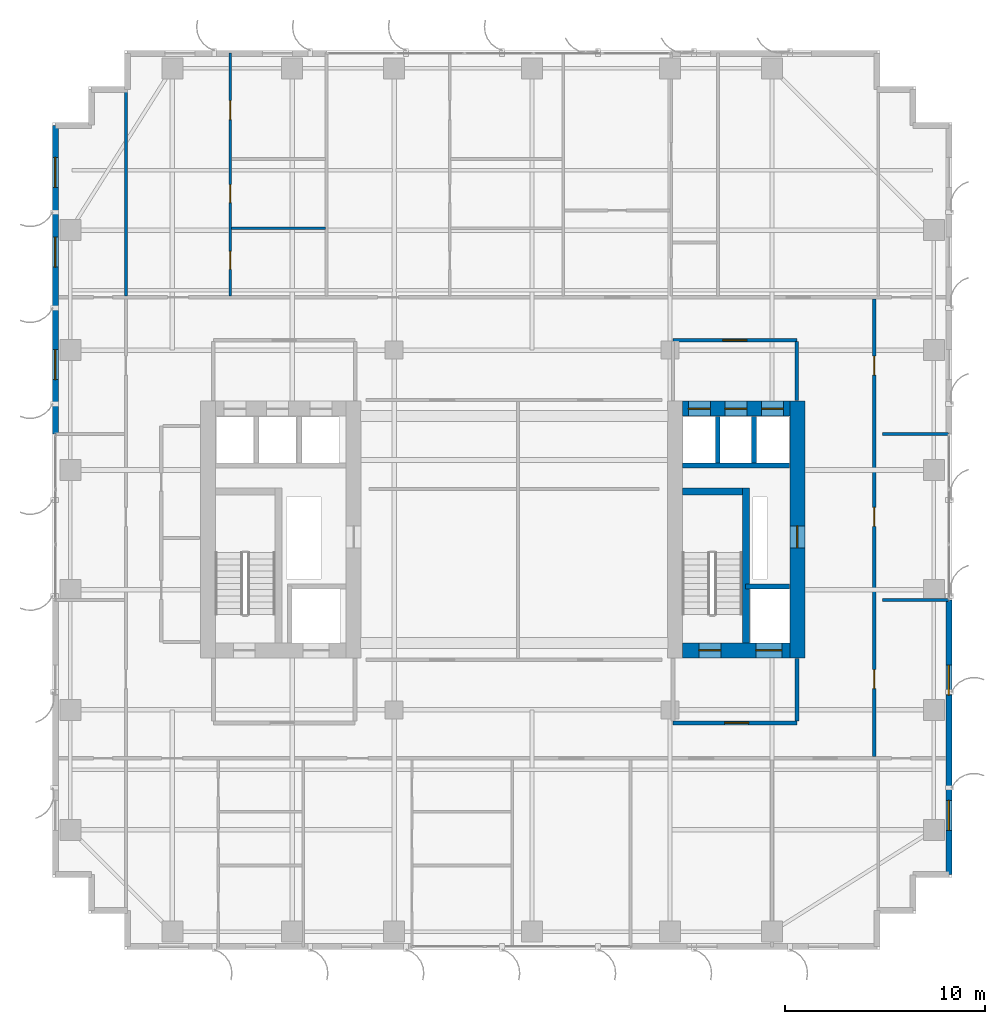
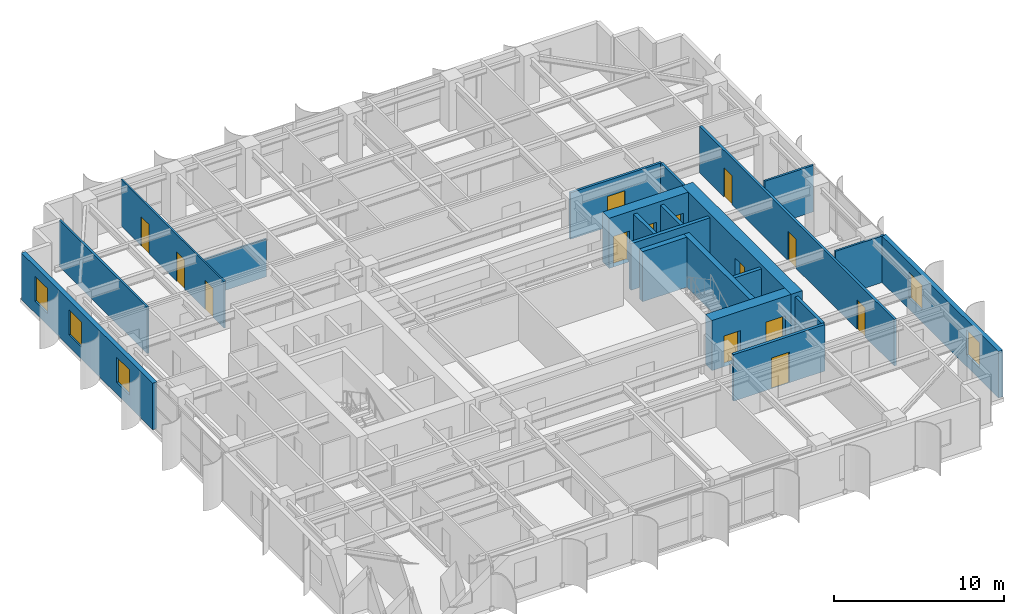
# One storey, part 16 of 21: 21 walls, 14 doors, 5 windows, 19 openings.
"""IFC4 building model written with IfcOpenShell, lengths in metres."""

from ifc_helpers import new_model, si_unit, direction, frame, frame_2d, origin, place, context, subcontext, project, spatial, rectangle, extrude, source, transform, mapped, material, layer, layer_set, type_object, element, fill, save


model = new_model("IFC4")

# Units and contexts
model_context = context("Model", 3, precision=1e-05, world=origin(), true_north=direction((0.0, 1.0)))
body_context = subcontext(model_context, "Body", "Model", "MODEL_VIEW")
ifc_project = project(units=[si_unit("LENGTHUNIT", "METRE"), si_unit("AREAUNIT", "SQUARE_METRE"), si_unit("VOLUMEUNIT", "CUBIC_METRE"), si_unit("PLANEANGLEUNIT", "RADIAN"), si_unit("MASSUNIT", "GRAM", prefix="KILO")], contexts=[model_context])

# Site, building, storey
site_placement = place(None, origin())
site = spatial("IfcSite", under=ifc_project, at=site_placement, CompositionType="ELEMENT")
building_placement = place(site_placement, origin())
building = spatial("IfcBuilding", under=site, at=building_placement, Name="Khoralis Quay Care Tower", CompositionType="ELEMENT")
storey_placement = place(building_placement, frame((0.0, 0.0, 112.5)))
storey = spatial("IfcBuildingStorey", under=building, at=storey_placement, Name="L29", CompositionType="ELEMENT", Elevation=112.5)

# Wall, opening, door
ifc_material_1 = material(Name="Gypsum plasterboard on acoustic metal stud")
ifc_layer_1 = layer(ifc_material_1, 0.199951171875)
ifc_layer_set_1 = layer_set([ifc_layer_1], Name="Gypsum plasterboard on acoustic metal stud")
wall_type_1 = type_object("IfcWallType", Name="WL-COMP-200", PredefinedType="PARTITIONING", material=ifc_layer_set_1)
wall_1_placement = place(storey_placement, frame((31.050048828125, 11.35009765625, 0.0), z_axis=(0.0, 0.0, 1.0), x_axis=(1.0, 0.0, 0.0)))
wall_1 = element("IfcWall", 1, at=wall_1_placement, inside=storey, type_object=wall_type_1, Name="L29 East Firefighting Lobby South Wall", PredefinedType="PARTITIONING", context=body_context, shape_type="SweptSolid", body=[
    extrude(rectangle(XDim=6.199951171875, YDim=0.199951171875, at=frame_2d((3.10009765625, 0.0))), origin(), (0.0, 0.0, 1.0), 3.340087890625),
])
opening_1_placement = place(wall_1_placement, frame((2.585693359375, 0.0, 0.0)))
opening_1 = element("IfcOpeningElement", 2, at=opening_1_placement, cuts=wall_1, Name="Opening FD1", PredefinedType="OPENING", context=body_context, shape_type="SweptSolid", body=[
    extrude(rectangle(XDim=1.199951171875, YDim=2.199951171875, at=frame_2d((0.60009765625, 1.10009765625))), frame((0.0, 0.10986328125, 0.0), z_axis=(0.0, -1.0, 0.0), x_axis=(1.0, 0.0, 0.0)), (0.0, 0.0, 1.0), 0.219970703125),
])
ifc_material_2 = material(Name="Fire-rated painted steel", Category="steel")
door_type_1 = type_object("IfcDoorType", Name="DR-FFL-1200X2200", OperationType="NOTDEFINED", PredefinedType="DOOR", material=ifc_material_2)
shared_shape_1 = source(origin(), body_context, "Body", "SweptSolid", [
    extrude(rectangle(XDim=1.199951171875, YDim=2.199951171875, at=frame_2d((0.60009765625, 1.10009765625))), frame((0.0, 0.02490234375, 0.0), z_axis=(0.0, -1.0, 0.0), x_axis=(1.0, 0.0, 0.0)), (0.0, 0.0, 1.0), 0.050048828125),
])
door_1_placement = place(opening_1_placement, origin())
door_1 = element("IfcDoor", 3, at=door_1_placement, inside=storey, type_object=door_type_1, Name="L29 East Firefighting Lobby Fire Door", OperationType="SINGLE_SWING_RIGHT", OverallHeight=2.199951171875, OverallWidth=1.199951171875, PredefinedType="DOOR", context=body_context, shape_type="MappedRepresentation", body=[
    mapped(shared_shape_1, transform((0.0, 0.0, 0.0), scale=1.0)),
])
fill(opening_1, door_1)

# Wall
wall_2_placement = place(storey_placement, frame((37.25, 11.445068359375, 0.0), z_axis=(0.0, 0.0, 1.0), x_axis=(0.0, 1.0, 0.0)))
element("IfcWall", 4, at=wall_2_placement, inside=storey, type_object=wall_type_1, Name="L29 East Firefighting Lobby East Wall", PredefinedType="PARTITIONING", context=body_context, shape_type="SweptSolid", body=[
    extrude(rectangle(XDim=3.135009765625, YDim=0.199951171875, at=frame_2d((1.5673828125, 0.0))), origin(), (0.0, 0.0, 1.0), 3.340087890625),
])

# Wall, opening, door
ifc_material_3 = material(Name="Concrete C80/95", Category="concrete")
ifc_layer_2 = layer(ifc_material_3, 0.75)
ifc_layer_set_2 = layer_set([ifc_layer_2], Name="Concrete C80/95")
wall_type_2 = type_object("IfcWallType", Name="WL-CORE-750", PredefinedType="SHEAR", material=ifc_layer_set_2)
wall_3_placement = place(storey_placement, frame((37.27490234375, 14.60009765625, 0.0), z_axis=(0.0, 0.0, 1.0), x_axis=(0.0, 1.0, 0.0)))
wall_3 = element("IfcWall", 5, at=wall_3_placement, inside=storey, type_object=wall_type_2, Name="L29 ECORE East Shear Wall", PredefinedType="SHEAR", context=body_context, shape_type="SweptSolid", body=[
    extrude(rectangle(XDim=12.849853515625, YDim=0.75, at=frame_2d((6.4248046875, 0.0))), origin(), (0.0, 0.0, 1.0), 3.60009765625),
])
opening_2_placement = place(wall_3_placement, frame((5.5, 0.0, 0.0)))
opening_2 = element("IfcOpeningElement", 6, at=opening_2_placement, cuts=wall_3, Name="Opening SD1", PredefinedType="OPENING", context=body_context, shape_type="SweptSolid", body=[
    extrude(rectangle(XDim=1.10009765625, YDim=2.199951171875, at=frame_2d((0.550048828125, 1.10009765625))), frame((0.0, 0.385009765625, 0.0), z_axis=(0.0, -1.0, 0.0), x_axis=(1.0, 0.0, 0.0)), (0.0, 0.0, 1.0), 0.77001953125),
])
door_type_2 = type_object("IfcDoorType", Name="DR-STAIR-1100X2200", OperationType="NOTDEFINED", PredefinedType="DOOR", material=ifc_material_2)
shared_shape_2 = source(origin(), body_context, "Body", "SweptSolid", [
    extrude(rectangle(XDim=1.10009765625, YDim=2.199951171875, at=frame_2d((0.550048828125, 1.10009765625))), frame((0.0, 0.02490234375, 0.0), z_axis=(0.0, -1.0, 0.0), x_axis=(1.0, 0.0, 0.0)), (0.0, 0.0, 1.0), 0.050048828125),
])
door_2_placement = place(opening_2_placement, frame((1.10009765625, 0.0, 0.0), z_axis=(0.0, 0.0, 1.0), x_axis=(-1.0, 0.0, 0.0)))
door_2 = element("IfcDoor", 7, at=door_2_placement, inside=storey, type_object=door_type_2, Name="L29 East MEP Riser Door", OperationType="SINGLE_SWING_RIGHT", OverallHeight=2.199951171875, OverallWidth=1.10009765625, PredefinedType="DOOR", context=body_context, shape_type="MappedRepresentation", body=[
    mapped(shared_shape_2, transform((0.0, 0.0, 0.0), scale=1.0)),
])
fill(opening_2, door_2)

# Wall, openings, doors
wall_4_placement = place(storey_placement, frame((31.52001953125, 14.97509765625, 0.0), z_axis=(0.0, 0.0, 1.0), x_axis=(1.0, 0.0, 0.0)))
wall_4 = element("IfcWall", 8, at=wall_4_placement, inside=storey, type_object=wall_type_2, Name="L29 ECORE South Shear Wall", PredefinedType="SHEAR", context=body_context, shape_type="SweptSolid", body=[
    extrude(rectangle(XDim=5.3798828125, YDim=0.75, at=frame_2d((2.68994140625, 0.0))), origin(), (0.0, 0.0, 1.0), 3.60009765625),
])
opening_3_placement = place(wall_4_placement, frame((0.830078125, 0.0, 0.0)))
opening_3 = element("IfcOpeningElement", 9, at=opening_3_placement, cuts=wall_4, Name="Opening SD1", PredefinedType="OPENING", context=body_context, shape_type="SweptSolid", body=[
    extrude(rectangle(XDim=1.10009765625, YDim=2.199951171875, at=frame_2d((0.550048828125, 1.10009765625))), frame((0.0, 0.385009765625, 0.0), z_axis=(0.0, -1.0, 0.0), x_axis=(1.0, 0.0, 0.0)), (0.0, 0.0, 1.0), 0.77001953125),
])
opening_4_placement = place(wall_4_placement, frame((3.679931640625, 0.0, 0.0)))
opening_4 = element("IfcOpeningElement", 10, at=opening_4_placement, cuts=wall_4, Name="Opening LD2", PredefinedType="OPENING", context=body_context, shape_type="SweptSolid", body=[
    extrude(rectangle(XDim=1.300048828125, YDim=2.199951171875, at=frame_2d((0.64990234375, 1.10009765625))), frame((0.0, 0.385009765625, 0.0), z_axis=(0.0, -1.0, 0.0), x_axis=(1.0, 0.0, 0.0)), (0.0, 0.0, 1.0), 0.77001953125),
])
door_3_placement = place(opening_3_placement, origin())
door_3 = element("IfcDoor", 11, at=door_3_placement, inside=storey, type_object=door_type_2, Name="L29 Stair ST-T2 Fire Door", OperationType="SINGLE_SWING_RIGHT", OverallHeight=2.199951171875, OverallWidth=1.10009765625, PredefinedType="DOOR", context=body_context, shape_type="MappedRepresentation", body=[
    mapped(shared_shape_2, transform((0.0, 0.0, 0.0), scale=1.0)),
])
fill(opening_3, door_3)
ifc_material_4 = material(Name="Brushed stainless steel", Category="steel")
door_type_3 = type_object("IfcDoorType", Name="DR-LIFT-1300X2200", OperationType="SLIDING_TO_RIGHT", PredefinedType="DOOR", material=ifc_material_4)
shared_shape_3 = source(origin(), body_context, "Body", "SweptSolid", [
    extrude(rectangle(XDim=1.300048828125, YDim=2.199951171875, at=frame_2d((0.64990234375, 1.10009765625))), frame((0.0, 0.02490234375, 0.0), z_axis=(0.0, -1.0, 0.0), x_axis=(1.0, 0.0, 0.0)), (0.0, 0.0, 1.0), 0.050048828125),
])
door_4_placement = place(opening_4_placement, origin())
door_4 = element("IfcDoor", 12, at=door_4_placement, inside=storey, type_object=door_type_3, Name="L29 Firefighting Lift FFL-2 Landing Door", OperationType="SLIDING_TO_RIGHT", OverallHeight=2.199951171875, OverallWidth=1.300048828125, PredefinedType="DOOR", context=body_context, shape_type="MappedRepresentation", body=[
    mapped(shared_shape_3, transform((0.0, 0.0, 0.0), scale=1.0)),
])
fill(opening_4, door_4)

wall_5_placement = place(storey_placement, frame((31.52001953125, 27.074951171875, 0.0), z_axis=(0.0, 0.0, 1.0), x_axis=(1.0, 0.0, 0.0)))
wall_5 = element("IfcWall", 13, at=wall_5_placement, inside=storey, type_object=wall_type_2, Name="L29 ECORE North Shear Wall", PredefinedType="SHEAR", context=body_context, shape_type="SweptSolid", body=[
    extrude(rectangle(XDim=5.3798828125, YDim=0.75, at=frame_2d((2.68994140625, 0.0))), origin(), (0.0, 0.0, 1.0), 3.60009765625),
])
opening_5_placement = place(wall_5_placement, frame((0.300048828125, 0.0, 0.0)))
opening_5 = element("IfcOpeningElement", 14, at=opening_5_placement, cuts=wall_5, Name="Opening LD1", PredefinedType="OPENING", context=body_context, shape_type="SweptSolid", body=[
    extrude(rectangle(XDim=1.10009765625, YDim=2.199951171875, at=frame_2d((0.550048828125, 1.10009765625))), frame((0.0, 0.385009765625, 0.0), z_axis=(0.0, -1.0, 0.0), x_axis=(1.0, 0.0, 0.0)), (0.0, 0.0, 1.0), 0.77001953125),
])
opening_6_placement = place(wall_5_placement, frame((2.1298828125, 0.0, 0.0)))
opening_6 = element("IfcOpeningElement", 15, at=opening_6_placement, cuts=wall_5, Name="Opening LD1", PredefinedType="OPENING", context=body_context, shape_type="SweptSolid", body=[
    extrude(rectangle(XDim=1.10009765625, YDim=2.199951171875, at=frame_2d((0.550048828125, 1.10009765625))), frame((0.0, 0.385009765625, 0.0), z_axis=(0.0, -1.0, 0.0), x_axis=(1.0, 0.0, 0.0)), (0.0, 0.0, 1.0), 0.77001953125),
])
opening_7_placement = place(wall_5_placement, frame((3.9599609375, 0.0, 0.0)))
opening_7 = element("IfcOpeningElement", 16, at=opening_7_placement, cuts=wall_5, Name="Opening LD1", PredefinedType="OPENING", context=body_context, shape_type="SweptSolid", body=[
    extrude(rectangle(XDim=1.10009765625, YDim=2.199951171875, at=frame_2d((0.550048828125, 1.10009765625))), frame((0.0, 0.385009765625, 0.0), z_axis=(0.0, -1.0, 0.0), x_axis=(1.0, 0.0, 0.0)), (0.0, 0.0, 1.0), 0.77001953125),
])
door_type_4 = type_object("IfcDoorType", Name="DR-LIFT-1100X2200", OperationType="SLIDING_TO_LEFT", PredefinedType="DOOR", material=ifc_material_4)
shared_shape_4 = source(origin(), body_context, "Body", "SweptSolid", [
    extrude(rectangle(XDim=1.10009765625, YDim=2.199951171875, at=frame_2d((0.550048828125, 1.10009765625))), frame((0.0, 0.02490234375, 0.0), z_axis=(0.0, -1.0, 0.0), x_axis=(1.0, 0.0, 0.0)), (0.0, 0.0, 1.0), 0.050048828125),
])
door_5_placement = place(opening_5_placement, origin())
door_5 = element("IfcDoor", 17, at=door_5_placement, inside=storey, type_object=door_type_4, Name="L29 Lift PLL2 Landing Door", OperationType="SLIDING_TO_LEFT", OverallHeight=2.199951171875, OverallWidth=1.10009765625, PredefinedType="DOOR", context=body_context, shape_type="MappedRepresentation", body=[
    mapped(shared_shape_4, transform((0.0, 0.0, 0.0), scale=1.0)),
])
fill(opening_5, door_5)
door_6_placement = place(opening_6_placement, origin())
door_6 = element("IfcDoor", 18, at=door_6_placement, inside=storey, type_object=door_type_4, Name="L29 Lift PLM2 Landing Door", OperationType="SLIDING_TO_LEFT", OverallHeight=2.199951171875, OverallWidth=1.10009765625, PredefinedType="DOOR", context=body_context, shape_type="MappedRepresentation", body=[
    mapped(shared_shape_4, transform((0.0, 0.0, 0.0), scale=1.0)),
])
fill(opening_6, door_6)
door_7_placement = place(opening_7_placement, origin())
door_7 = element("IfcDoor", 19, at=door_7_placement, inside=storey, type_object=door_type_4, Name="L29 Lift PLH2 Landing Door", OperationType="SLIDING_TO_LEFT", OverallHeight=2.199951171875, OverallWidth=1.10009765625, PredefinedType="DOOR", context=body_context, shape_type="MappedRepresentation", body=[
    mapped(shared_shape_4, transform((0.0, 0.0, 0.0), scale=1.0)),
])
fill(opening_7, door_7)

# Wall, opening, door
ifc_layer_3 = layer(ifc_material_1, 0.1650390625)
ifc_layer_set_3 = layer_set([ifc_layer_3], Name="Gypsum plasterboard on acoustic metal stud")
wall_type_3 = type_object("IfcWallType", Name="WL-CORR-165", PredefinedType="PARTITIONING", material=ifc_layer_set_3)
wall_6_placement = place(storey_placement, frame((31.050048828125, 30.5, 0.0), z_axis=(0.0, 0.0, 1.0), x_axis=(1.0, 0.0, 0.0)))
wall_6 = element("IfcWall", 20, at=wall_6_placement, inside=storey, type_object=wall_type_3, Name="L29 East Lift Lobby North Wall", PredefinedType="PARTITIONING", context=body_context, shape_type="SweptSolid", body=[
    extrude(rectangle(XDim=6.199951171875, YDim=0.1650390625, at=frame_2d((3.10009765625, 0.0))), origin(), (0.0, 0.0, 1.0), 3.340087890625),
])
opening_8_placement = place(wall_6_placement, frame((2.5, 0.0, 0.0)))
opening_8 = element("IfcOpeningElement", 21, at=opening_8_placement, cuts=wall_6, Name="Opening FD1", PredefinedType="OPENING", context=body_context, shape_type="SweptSolid", body=[
    extrude(rectangle(XDim=1.199951171875, YDim=2.199951171875, at=frame_2d((0.60009765625, 1.10009765625))), frame((0.0, 0.092529296875, 0.0), z_axis=(0.0, -1.0, 0.0), x_axis=(1.0, 0.0, 0.0)), (0.0, 0.0, 1.0), 0.18505859375),
])
door_8_placement = place(opening_8_placement, origin())
door_8 = element("IfcDoor", 22, at=door_8_placement, inside=storey, type_object=door_type_1, Name="L29 East Lift Lobby Double Door", OperationType="DOUBLE_DOOR_SINGLE_SWING", OverallHeight=2.199951171875, OverallWidth=1.199951171875, PredefinedType="DOOR", context=body_context, shape_type="MappedRepresentation", body=[
    mapped(shared_shape_1, transform((0.0, 0.0, 0.0), scale=1.0)),
])
fill(opening_8, door_8)

# Wall
wall_7_placement = place(storey_placement, frame((37.25, 27.469970703125, 0.0), z_axis=(0.0, 0.0, 1.0), x_axis=(0.0, 1.0, 0.0)))
element("IfcWall", 23, at=wall_7_placement, inside=storey, type_object=wall_type_3, Name="L29 East Lift Lobby East Wall", PredefinedType="PARTITIONING", context=body_context, shape_type="SweptSolid", body=[
    extrude(rectangle(XDim=2.95263671875, YDim=0.1650390625, at=frame_2d((1.476318359375, 0.0))), origin(), (0.0, 0.0, 1.0), 3.340087890625),
])

# Wall, openings, doors
wall_8_placement = place(storey_placement, frame((41.1201171875, 9.657470703125, 0.0), z_axis=(0.0, 0.0, 1.0), x_axis=(0.0, 1.0, 0.0)))
wall_8 = element("IfcWall", 24, at=wall_8_placement, inside=storey, type_object=wall_type_3, Name="L29 East Loop Corridor Wall", PredefinedType="PARTITIONING", context=body_context, shape_type="SweptSolid", body=[
    extrude(rectangle(XDim=22.905029296875, YDim=0.1650390625, at=frame_2d((11.45263671875, 0.0))), origin(), (0.0, 0.0, 1.0), 3.340087890625),
])
opening_9_placement = place(wall_8_placement, frame((3.407470703125, 0.0, 0.0)))
opening_9 = element("IfcOpeningElement", 25, at=opening_9_placement, cuts=wall_8, Name="Opening ID1", PredefinedType="OPENING", context=body_context, shape_type="SweptSolid", body=[
    extrude(rectangle(XDim=0.949951171875, YDim=2.10009765625, at=frame_2d((0.47509765625, 1.050048828125))), frame((0.0, 0.092529296875, 0.0), z_axis=(0.0, -1.0, 0.0), x_axis=(1.0, 0.0, 0.0)), (0.0, 0.0, 1.0), 0.18505859375),
])
opening_10_placement = place(wall_8_placement, frame((11.517578125, 0.0, 0.0)))
opening_10 = element("IfcOpeningElement", 26, at=opening_10_placement, cuts=wall_8, Name="Opening ID1", PredefinedType="OPENING", context=body_context, shape_type="SweptSolid", body=[
    extrude(rectangle(XDim=0.949951171875, YDim=2.10009765625, at=frame_2d((0.47509765625, 1.050048828125))), frame((0.0, 0.092529296875, 0.0), z_axis=(0.0, -1.0, 0.0), x_axis=(1.0, 0.0, 0.0)), (0.0, 0.0, 1.0), 0.18505859375),
])
opening_11_placement = place(wall_8_placement, frame((19.08740234375, 0.0, 0.0)))
opening_11 = element("IfcOpeningElement", 27, at=opening_11_placement, cuts=wall_8, Name="Opening ID1", PredefinedType="OPENING", context=body_context, shape_type="SweptSolid", body=[
    extrude(rectangle(XDim=0.949951171875, YDim=2.10009765625, at=frame_2d((0.47509765625, 1.050048828125))), frame((0.0, 0.092529296875, 0.0), z_axis=(0.0, -1.0, 0.0), x_axis=(1.0, 0.0, 0.0)), (0.0, 0.0, 1.0), 0.18505859375),
])
ifc_material_5 = material(Name="Acoustic hardwood timber", Category="wood")
door_type_5 = type_object("IfcDoorType", Name="DR-ROOM-950X2100", OperationType="NOTDEFINED", PredefinedType="DOOR", material=ifc_material_5)
shared_shape_5 = source(origin(), body_context, "Body", "SweptSolid", [
    extrude(rectangle(XDim=0.949951171875, YDim=2.10009765625, at=frame_2d((0.47509765625, 1.050048828125))), frame((0.0, 0.02490234375, 0.0), z_axis=(0.0, -1.0, 0.0), x_axis=(1.0, 0.0, 0.0)), (0.0, 0.0, 1.0), 0.050048828125),
])
door_9_placement = place(opening_9_placement, frame((0.949951171875, 0.0, 0.0), z_axis=(0.0, 0.0, 1.0), x_axis=(-1.0, 0.0, 0.0)))
door_9 = element("IfcDoor", 28, at=door_9_placement, inside=storey, type_object=door_type_5, Name="L29 Therapy Consultation Room Door", OperationType="SINGLE_SWING_LEFT", OverallHeight=2.10009765625, OverallWidth=0.949951171875, PredefinedType="DOOR", context=body_context, shape_type="MappedRepresentation", body=[
    mapped(shared_shape_5, transform((0.0, 0.0, 0.0), scale=1.0)),
])
fill(opening_9, door_9)
door_10_placement = place(opening_10_placement, frame((0.949951171875, 0.0, 0.0), z_axis=(0.0, 0.0, 1.0), x_axis=(-1.0, 0.0, 0.0)))
door_10 = element("IfcDoor", 29, at=door_10_placement, inside=storey, type_object=door_type_5, Name="L29 Assisted Activity Lounge Door", OperationType="SINGLE_SWING_RIGHT", OverallHeight=2.10009765625, OverallWidth=0.949951171875, PredefinedType="DOOR", context=body_context, shape_type="MappedRepresentation", body=[
    mapped(shared_shape_5, transform((0.0, 0.0, 0.0), scale=1.0)),
])
fill(opening_10, door_10)
door_11_placement = place(opening_11_placement, frame((0.949951171875, 0.0, 0.0), z_axis=(0.0, 0.0, 1.0), x_axis=(-1.0, 0.0, 0.0)))
door_11 = element("IfcDoor", 30, at=door_11_placement, inside=storey, type_object=door_type_5, Name="L29 Nurse Charting Office Door", OperationType="SINGLE_SWING_LEFT", OverallHeight=2.10009765625, OverallWidth=0.949951171875, PredefinedType="DOOR", context=body_context, shape_type="MappedRepresentation", body=[
    mapped(shared_shape_5, transform((0.0, 0.0, 0.0), scale=1.0)),
])
fill(opening_11, door_11)

# Wall, openings, windows
ifc_material_6 = material(Name="Precast concrete C45/55", Category="concrete")
ifc_layer_4 = layer(ifc_material_6, 0.300048828125)
ifc_layer_set_4 = layer_set([ifc_layer_4], Name="Precast concrete C45/55")
wall_type_4 = type_object("IfcWallType", Name="WL-EXT-REF-300", PredefinedType="SOLIDWALL", material=ifc_layer_set_4)
wall_9_placement = place(storey_placement, frame((44.85009765625, 3.75, 0.0), z_axis=(0.0, 0.0, 1.0), x_axis=(0.0, 1.0, 0.0)))
wall_9 = element("IfcWall", 31, at=wall_9_placement, inside=storey, type_object=wall_type_4, Name="L29 External Facade Wall WL-EXT-L29-P1-E5A", PredefinedType="SOLIDWALL", context=body_context, shape_type="SweptSolid", body=[
    extrude(rectangle(XDim=13.75, YDim=0.300048828125, at=frame_2d((6.875, 0.0))), origin(), (0.0, 0.0, 1.0), 3.340087890625),
])
opening_12_placement = place(wall_9_placement, frame((2.215087890625, 0.0, 0.85009765625)))
opening_12 = element("IfcOpeningElement", 32, at=opening_12_placement, cuts=wall_9, Name="Opening W3", PredefinedType="OPENING", context=body_context, shape_type="SweptSolid", body=[
    extrude(rectangle(XDim=1.5, YDim=1.800048828125, at=frame_2d((0.75, 0.89990234375))), frame((0.0, 0.16015625, 0.0), z_axis=(0.0, -1.0, 0.0), x_axis=(1.0, 0.0, 0.0)), (0.0, 0.0, 1.0), 0.320068359375),
])
opening_13_placement = place(wall_9_placement, frame((8.989990234375, 0.0, 0.85009765625)))
opening_13 = element("IfcOpeningElement", 33, at=opening_13_placement, cuts=wall_9, Name="Opening W3", PredefinedType="OPENING", context=body_context, shape_type="SweptSolid", body=[
    extrude(rectangle(XDim=1.5, YDim=1.800048828125, at=frame_2d((0.75, 0.89990234375))), frame((0.0, 0.16015625, 0.0), z_axis=(0.0, -1.0, 0.0), x_axis=(1.0, 0.0, 0.0)), (0.0, 0.0, 1.0), 0.320068359375),
])
ifc_material_7 = material(Name="Low-E solar-control double glazing", Category="glass")
window_type = type_object("IfcWindowType", Name="WN-CLIN-1500X1800", PartitioningType="SINGLE_PANEL", PredefinedType="WINDOW", material=ifc_material_7)
shared_shape_6 = source(origin(), body_context, "Body", "SweptSolid", [
    extrude(rectangle(XDim=1.5, YDim=1.800048828125, at=frame_2d((0.75, 0.89990234375))), frame((0.0, 0.030029296875, 0.0), z_axis=(0.0, -1.0, 0.0), x_axis=(1.0, 0.0, 0.0)), (0.0, 0.0, 1.0), 0.06005859375),
])
window_1_placement = place(opening_12_placement, origin())
window_1 = element("IfcWindow", 34, at=window_1_placement, inside=storey, type_object=window_type, Name="WN-L29-P1-E5A Facade Window 01", OverallHeight=1.800048828125, OverallWidth=1.5, PartitioningType="SINGLE_PANEL", PredefinedType="WINDOW", context=body_context, shape_type="MappedRepresentation", body=[
    mapped(shared_shape_6, transform((0.0, 0.0, 0.0), scale=1.0)),
])
fill(opening_12, window_1)
window_2_placement = place(opening_13_placement, origin())
window_2 = element("IfcWindow", 35, at=window_2_placement, inside=storey, type_object=window_type, Name="WN-L29-P1-E5A Facade Window 02", OverallHeight=1.800048828125, OverallWidth=1.5, PartitioningType="SINGLE_PANEL", PredefinedType="WINDOW", context=body_context, shape_type="MappedRepresentation", body=[
    mapped(shared_shape_6, transform((0.0, 0.0, 0.0), scale=1.0)),
])
fill(opening_13, window_2)

wall_10_placement = place(storey_placement, frame((0.14990234375, 41.25, 0.0), z_axis=(0.0, 0.0, 1.0), x_axis=(0.0, -1.0, 0.0)))
wall_10 = element("IfcWall", 36, at=wall_10_placement, inside=storey, type_object=wall_type_4, Name="L29 External Facade Wall WL-EXT-L29-P1-E15A", PredefinedType="SOLIDWALL", context=body_context, shape_type="SweptSolid", body=[
    extrude(rectangle(XDim=15.449951171875, YDim=0.300048828125, at=frame_2d((7.72509765625, 0.0))), origin(), (0.0, 0.0, 1.0), 3.340087890625),
])
opening_14_placement = place(wall_10_placement, frame((1.607421875, 0.0, 0.85009765625)))
opening_14 = element("IfcOpeningElement", 37, at=opening_14_placement, cuts=wall_10, Name="Opening W3", PredefinedType="OPENING", context=body_context, shape_type="SweptSolid", body=[
    extrude(rectangle(XDim=1.5, YDim=1.800048828125, at=frame_2d((0.75, 0.89990234375))), frame((0.0, 0.16015625, 0.0), z_axis=(0.0, -1.0, 0.0), x_axis=(1.0, 0.0, 0.0)), (0.0, 0.0, 1.0), 0.320068359375),
])
opening_15_placement = place(wall_10_placement, frame((5.6025390625, 0.0, 0.85009765625)))
opening_15 = element("IfcOpeningElement", 38, at=opening_15_placement, cuts=wall_10, Name="Opening W3", PredefinedType="OPENING", context=body_context, shape_type="SweptSolid", body=[
    extrude(rectangle(XDim=1.5, YDim=1.800048828125, at=frame_2d((0.75, 0.89990234375))), frame((0.0, 0.16015625, 0.0), z_axis=(0.0, -1.0, 0.0), x_axis=(1.0, 0.0, 0.0)), (0.0, 0.0, 1.0), 0.320068359375),
])
opening_16_placement = place(wall_10_placement, frame((11.22998046875, 0.0, 0.85009765625)))
opening_16 = element("IfcOpeningElement", 39, at=opening_16_placement, cuts=wall_10, Name="Opening W3", PredefinedType="OPENING", context=body_context, shape_type="SweptSolid", body=[
    extrude(rectangle(XDim=1.5, YDim=1.800048828125, at=frame_2d((0.75, 0.89990234375))), frame((0.0, 0.16015625, 0.0), z_axis=(0.0, -1.0, 0.0), x_axis=(1.0, 0.0, 0.0)), (0.0, 0.0, 1.0), 0.320068359375),
])
window_3_placement = place(opening_14_placement, origin())
window_3 = element("IfcWindow", 40, at=window_3_placement, inside=storey, type_object=window_type, Name="WN-L29-P1-E15A Facade Window 01", OverallHeight=1.800048828125, OverallWidth=1.5, PartitioningType="SINGLE_PANEL", PredefinedType="WINDOW", context=body_context, shape_type="MappedRepresentation", body=[
    mapped(shared_shape_6, transform((0.0, 0.0, 0.0), scale=1.0)),
])
fill(opening_14, window_3)
window_4_placement = place(opening_15_placement, origin())
window_4 = element("IfcWindow", 41, at=window_4_placement, inside=storey, type_object=window_type, Name="WN-L29-P1-E15A Facade Window 02", OverallHeight=1.800048828125, OverallWidth=1.5, PartitioningType="SINGLE_PANEL", PredefinedType="WINDOW", context=body_context, shape_type="MappedRepresentation", body=[
    mapped(shared_shape_6, transform((0.0, 0.0, 0.0), scale=1.0)),
])
fill(opening_15, window_4)
window_5_placement = place(opening_16_placement, origin())
window_5 = element("IfcWindow", 42, at=window_5_placement, inside=storey, type_object=window_type, Name="WN-L29-P1-E15A Facade Window 03", OverallHeight=1.800048828125, OverallWidth=1.5, PartitioningType="SINGLE_PANEL", PredefinedType="WINDOW", context=body_context, shape_type="MappedRepresentation", body=[
    mapped(shared_shape_6, transform((0.0, 0.0, 0.0), scale=1.0)),
])
fill(opening_16, window_5)

# Wall, openings, doors
ifc_layer_5 = layer(ifc_material_1, 0.114990234375)
ifc_layer_set_5 = layer_set([ifc_layer_5], Name="Gypsum plasterboard on acoustic metal stud")
wall_type_5 = type_object("IfcWallType", Name="WL-PART-115", PredefinedType="PARTITIONING", material=ifc_layer_set_5)
wall_11_placement = place(storey_placement, frame((8.90087890625, 32.717529296875, 0.0), z_axis=(0.0, 0.0, 1.0), x_axis=(0.0, 1.0, 0.0)))
wall_11 = element("IfcWall", 43, at=wall_11_placement, inside=storey, type_object=wall_type_5, Name="L29 Unit 0 Internal Wall", PredefinedType="PARTITIONING", context=body_context, shape_type="SweptSolid", body=[
    extrude(rectangle(XDim=12.137451171875, YDim=0.114990234375, at=frame_2d((6.06884765625, 0.0))), origin(), (0.0, 0.0, 1.0), 3.340087890625),
])
opening_17_placement = place(wall_11_placement, frame((8.8134765625, 0.0, 0.0)))
opening_17 = element("IfcOpeningElement", 44, at=opening_17_placement, cuts=wall_11, Name="Opening ID1", PredefinedType="OPENING", context=body_context, shape_type="SweptSolid", body=[
    extrude(rectangle(XDim=0.949951171875, YDim=2.10009765625, at=frame_2d((0.47509765625, 1.050048828125))), frame((0.0, 0.0673828125, 0.0), z_axis=(0.0, -1.0, 0.0), x_axis=(1.0, 0.0, 0.0)), (0.0, 0.0, 1.0), 0.135009765625),
])
opening_18_placement = place(wall_11_placement, frame((4.6640625, 0.0, 0.0)))
opening_18 = element("IfcOpeningElement", 45, at=opening_18_placement, cuts=wall_11, Name="Opening WD1", PredefinedType="OPENING", context=body_context, shape_type="SweptSolid", body=[
    extrude(rectangle(XDim=0.89990234375, YDim=2.10009765625, at=frame_2d((0.449951171875, 1.050048828125))), frame((0.0, 0.0673828125, 0.0), z_axis=(0.0, -1.0, 0.0), x_axis=(1.0, 0.0, 0.0)), (0.0, 0.0, 1.0), 0.135009765625),
])
opening_19_placement = place(wall_11_placement, frame((1.318115234375, 0.0, 0.0)))
opening_19 = element("IfcOpeningElement", 46, at=opening_19_placement, cuts=wall_11, Name="Opening WD1", PredefinedType="OPENING", context=body_context, shape_type="SweptSolid", body=[
    extrude(rectangle(XDim=0.89990234375, YDim=2.10009765625, at=frame_2d((0.449951171875, 1.050048828125))), frame((0.0, 0.0673828125, 0.0), z_axis=(0.0, -1.0, 0.0), x_axis=(1.0, 0.0, 0.0)), (0.0, 0.0, 1.0), 0.135009765625),
])
door_type_6 = type_object("IfcDoorType", Name="DR-BATH-900X2100", OperationType="NOTDEFINED", PredefinedType="DOOR", material=ifc_material_5)
shared_shape_7 = source(origin(), body_context, "Body", "SweptSolid", [
    extrude(rectangle(XDim=0.89990234375, YDim=2.10009765625, at=frame_2d((0.449951171875, 1.050048828125))), frame((0.0, 0.02490234375, 0.0), z_axis=(0.0, -1.0, 0.0), x_axis=(1.0, 0.0, 0.0)), (0.0, 0.0, 1.0), 0.050048828125),
])
door_12_placement = place(opening_18_placement, frame((0.89990234375, 0.0, 0.0), z_axis=(0.0, 0.0, 1.0), x_axis=(-1.0, 0.0, 0.0)))
door_12 = element("IfcDoor", 47, at=door_12_placement, inside=storey, type_object=door_type_6, Name="L29 Apartment NB0 KIT Door", OperationType="SINGLE_SWING_LEFT", OverallHeight=2.10009765625, OverallWidth=0.89990234375, PredefinedType="DOOR", context=body_context, shape_type="MappedRepresentation", body=[
    mapped(shared_shape_7, transform((0.0, 0.0, 0.0), scale=1.0)),
])
fill(opening_18, door_12)
door_13_placement = place(opening_19_placement, frame((0.89990234375, 0.0, 0.0), z_axis=(0.0, 0.0, 1.0), x_axis=(-1.0, 0.0, 0.0)))
door_13 = element("IfcDoor", 48, at=door_13_placement, inside=storey, type_object=door_type_6, Name="L29 Apartment NB0 BTH Door", OperationType="SINGLE_SWING_RIGHT", OverallHeight=2.10009765625, OverallWidth=0.89990234375, PredefinedType="DOOR", context=body_context, shape_type="MappedRepresentation", body=[
    mapped(shared_shape_7, transform((0.0, 0.0, 0.0), scale=1.0)),
])
fill(opening_19, door_13)
door_14_placement = place(opening_17_placement, frame((0.949951171875, 0.0, 0.0), z_axis=(0.0, 0.0, 1.0), x_axis=(-1.0, 0.0, 0.0)))
door_14 = element("IfcDoor", 49, at=door_14_placement, inside=storey, type_object=door_type_5, Name="L29 Apartment NB0 BED Door", OperationType="SINGLE_SWING_RIGHT", OverallHeight=2.10009765625, OverallWidth=0.949951171875, PredefinedType="DOOR", context=body_context, shape_type="MappedRepresentation", body=[
    mapped(shared_shape_5, transform((0.0, 0.0, 0.0), scale=1.0)),
])
fill(opening_17, door_14)

# Walls
wall_12_placement = place(storey_placement, frame((8.95361328125, 36.10107421875, 0.0), z_axis=(0.0, 0.0, 1.0), x_axis=(1.0, 0.0, 0.0)))
element("IfcWall", 50, at=wall_12_placement, inside=storey, type_object=wall_type_5, Name="L29 Unit 0 Kitchen Wall", PredefinedType="PARTITIONING", context=body_context, shape_type="SweptSolid", body=[
    extrude(rectangle(XDim=4.701416015625, YDim=0.114990234375, at=frame_2d((2.3505859375, 0.0))), origin(), (0.0, 0.0, 1.0), 2.722900390625),
])
ifc_material_8 = material(Name="Concrete C40/50", Category="concrete")
ifc_layer_6 = layer(ifc_material_8, 0.35009765625)
ifc_layer_set_6 = layer_set([ifc_layer_6], Name="Concrete C40/50")
wall_type_6 = type_object("IfcWallType", Name="WL-SC-CORE-350", PredefinedType="SHEAR", material=ifc_layer_set_6)
wall_13_placement = place(storey_placement, frame((34.695068359375, 15.35009765625, 0.0), z_axis=(0.0, 0.0, 1.0), x_axis=(0.0, 1.0, 0.0)))
element("IfcWall", 51, at=wall_13_placement, inside=storey, type_object=wall_type_6, Name="L29 Stair ST-T2 Shear Baffle Wall East", PredefinedType="SHEAR", context=body_context, shape_type="SweptSolid", body=[
    extrude(rectangle(XDim=7.75, YDim=0.35009765625, at=frame_2d((3.875, 0.0))), origin(), (0.0, 0.0, 1.0), 3.60009765625),
])
wall_14_placement = place(storey_placement, frame((31.52001953125, 22.925048828125, 0.0), z_axis=(0.0, 0.0, 1.0), x_axis=(1.0, 0.0, 0.0)))
element("IfcWall", 52, at=wall_14_placement, inside=storey, type_object=wall_type_6, Name="L29 Stair ST-T2 Shear Baffle Wall North", PredefinedType="SHEAR", context=body_context, shape_type="SweptSolid", body=[
    extrude(rectangle(XDim=3.0, YDim=0.35009765625, at=frame_2d((1.5, 0.0))), origin(), (0.0, 0.0, 1.0), 3.60009765625),
])
ifc_layer_7 = layer(ifc_material_1, 0.239990234375)
ifc_layer_set_7 = layer_set([ifc_layer_7], Name="Gypsum plasterboard on acoustic metal stud")
wall_type_7 = type_object("IfcWallType", Name="WL-SHAFT-240", PredefinedType="PARTITIONING", material=ifc_layer_set_7)
wall_15_placement = place(storey_placement, frame((34.679931640625, 18.169921875, 0.0), z_axis=(0.0, 0.0, 1.0), x_axis=(1.0, 0.0, 0.0)))
element("IfcWall", 53, at=wall_15_placement, inside=storey, type_object=wall_type_7, Name="L29 FFL-2 Shaft Wall North", PredefinedType="PARTITIONING", context=body_context, shape_type="SweptSolid", body=[
    extrude(rectangle(XDim=2.199951171875, YDim=0.239990234375, at=frame_2d((1.10009765625, 0.0))), origin(), (0.0, 0.0, 1.0), 3.340087890625),
])
wall_16_placement = place(storey_placement, frame((31.52001953125, 24.22998046875, 0.0), z_axis=(0.0, 0.0, 1.0), x_axis=(1.0, 0.0, 0.0)))
element("IfcWall", 54, at=wall_16_placement, inside=storey, type_object=wall_type_7, Name="L29 East Passenger Shaft South Wall", PredefinedType="PARTITIONING", context=body_context, shape_type="SweptSolid", body=[
    extrude(rectangle(XDim=5.35986328125, YDim=0.239990234375, at=frame_2d((2.679931640625, 0.0))), origin(), (0.0, 0.0, 1.0), 3.340087890625),
])
for number, where, z_axis, x_axis, name in (
    (55, (33.2900390625, 24.344970703125, 0.0), (0.0, 0.0, 1.0), (0.0, 1.0, 0.0), "L29 East Shaft Divider 1"),
    (56, (35.110107421875, 24.344970703125, 0.0), (0.0, 0.0, 1.0), (0.0, 1.0, 0.0), "L29 East Shaft Divider 2"),
):
    element("IfcWall", number, at=place(storey_placement, frame(where, z_axis=z_axis, x_axis=x_axis)), inside=storey, type_object=wall_type_7, Name=name, PredefinedType="PARTITIONING", context=body_context, shape_type="SweptSolid", body=[
        extrude(rectangle(XDim=2.3349609375, YDim=0.239990234375, at=frame_2d((1.16748046875, 0.0))), origin(), (0.0, 0.0, 1.0), 3.340087890625),
    ])
ifc_layer_8 = layer(ifc_material_1, 0.139892578125)
ifc_layer_set_8 = layer_set([ifc_layer_8], Name="Gypsum plasterboard on acoustic metal stud")
wall_type_8 = type_object("IfcWallType", Name="WL-UNIT-140", PredefinedType="PARTITIONING", material=ifc_layer_set_8)
for number, where, z_axis, x_axis, name in (
    (57, (41.5400390625, 17.5, 0.0), (0.0, 0.0, 1.0), (1.0, 0.0, 0.0), "L29 EE Divider 1"),
    (58, (41.5400390625, 25.800048828125, 0.0), (0.0, 0.0, 1.0), (1.0, 0.0, 0.0), "L29 EE Divider 2"),
):
    element("IfcWall", number, at=place(storey_placement, frame(where, z_axis=z_axis, x_axis=x_axis)), inside=storey, type_object=wall_type_8, Name=name, PredefinedType="PARTITIONING", context=body_context, shape_type="SweptSolid", body=[
        extrude(rectangle(XDim=3.31494140625, YDim=0.139892578125, at=frame_2d((1.657470703125, 0.0))), origin(), (0.0, 0.0, 1.0), 3.340087890625),
    ])
wall_17_placement = place(storey_placement, frame((3.679931640625, 32.717529296875, 0.0), z_axis=(0.0, 0.0, 1.0), x_axis=(0.0, 1.0, 0.0)))
element("IfcWall", 59, at=wall_17_placement, inside=storey, type_object=wall_type_8, Name="L29 NB Demising Wall 0", PredefinedType="PARTITIONING", context=body_context, shape_type="SweptSolid", body=[
    extrude(rectangle(XDim=10.33740234375, YDim=0.139892578125, at=frame_2d((5.168701171875, 0.0))), origin(), (0.0, 0.0, 1.0), 3.340087890625),
])

save(model, "model.ifc")
